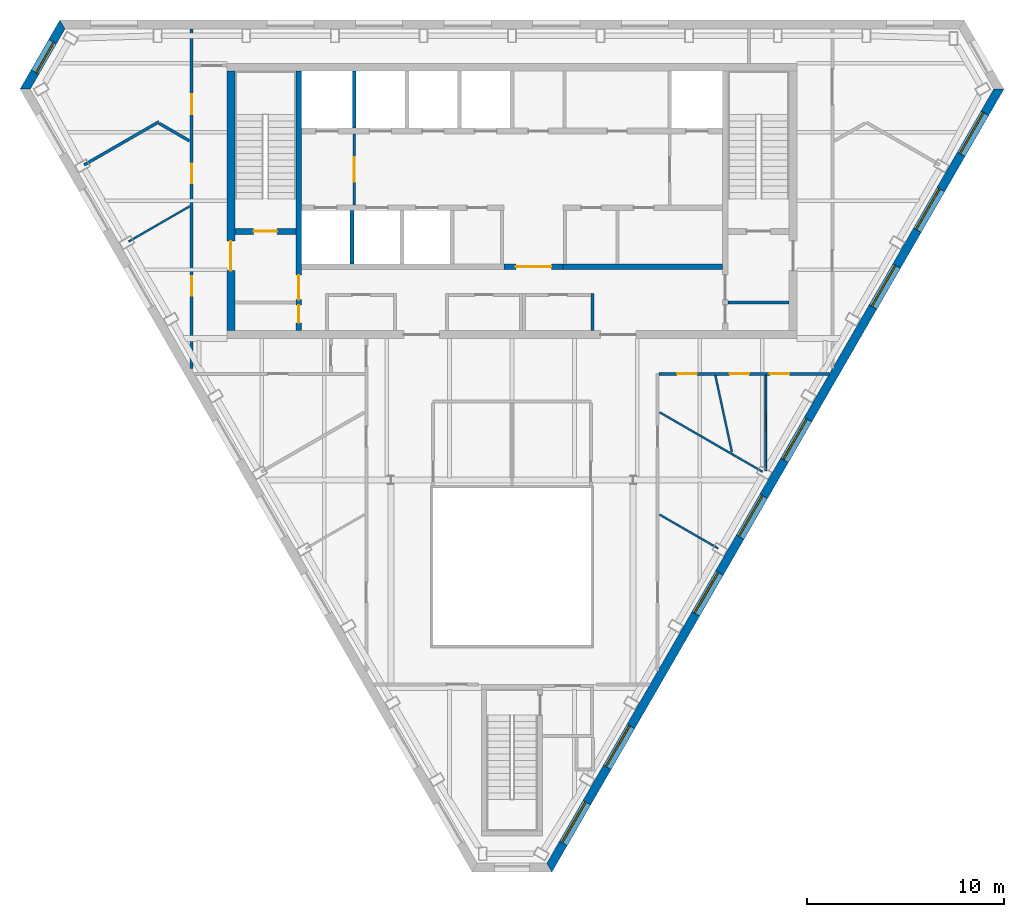
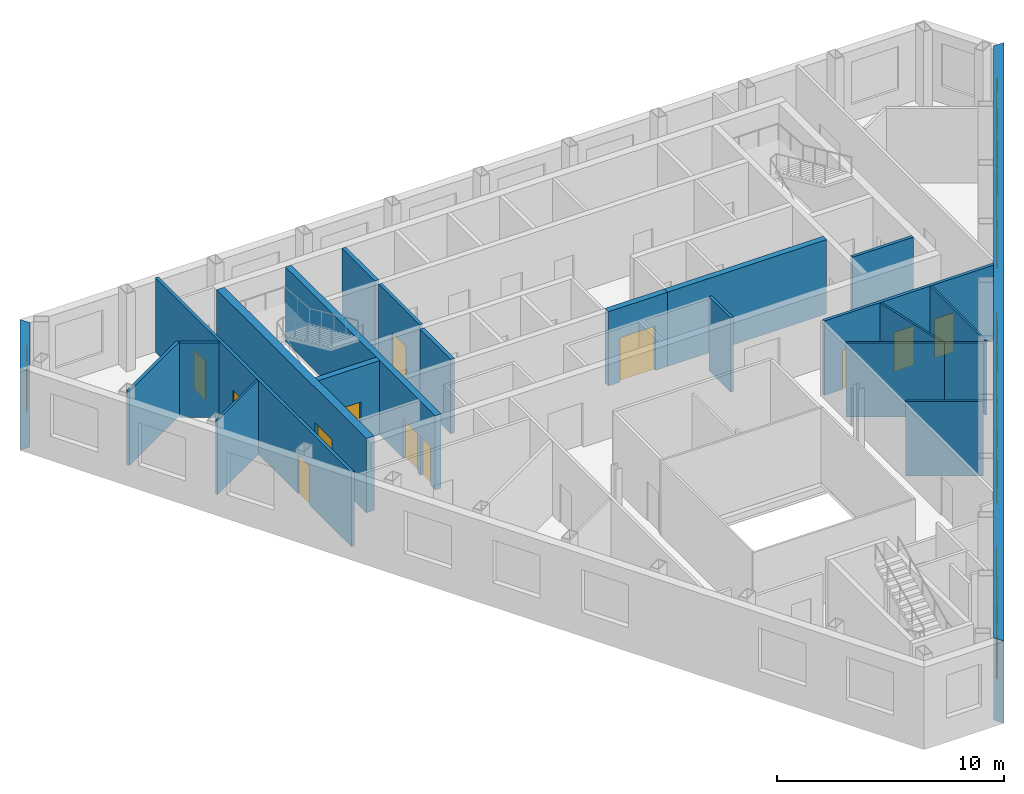
# One storey, part 5 of 10: 22 walls, 12 doors, 9 windows, 21 openings.
"""IFC4 building model written with IfcOpenShell, lengths in metres."""

from ifc_helpers import new_model, si_unit, direction, frame, frame_2d, origin, place, context, subcontext, project, spatial, polyline, rectangle, outline, extrude, material, layer, layer_set, type_object, element, fill, save


model = new_model("IFC4")

# Units and contexts
model_context = context("Model", 3, precision=1e-05, world=origin(), true_north=direction((0.0, 1.0)))
body_context = subcontext(model_context, "Body", "Model", "MODEL_VIEW")
ifc_project = project(units=[si_unit("LENGTHUNIT", "METRE"), si_unit("AREAUNIT", "SQUARE_METRE"), si_unit("VOLUMEUNIT", "CUBIC_METRE"), si_unit("PLANEANGLEUNIT", "RADIAN"), si_unit("MASSUNIT", "GRAM", prefix="KILO")], contexts=[model_context])

# Site, building, storey
site_placement = place(None, origin())
site = spatial("IfcSite", under=ifc_project, at=site_placement, CompositionType="ELEMENT")
building_placement = place(site_placement, origin())
building = spatial("IfcBuilding", under=site, at=building_placement, Name="Njiva Tower", CompositionType="ELEMENT")
storey_placement = place(building_placement, frame((0.0, 0.0, 333.6)))
storey = spatial("IfcBuildingStorey", under=building, at=storey_placement, Name="L76", CompositionType="ELEMENT", Elevation=333.6)

# Walls
ifc_material_1 = material(Name="Blockwork", Category="masonry")
ifc_layer_1 = layer(ifc_material_1, 0.15)
ifc_layer_set_1 = layer_set([ifc_layer_1], Name="Blockwork")
wall_type_1 = type_object("IfcWallType", Name="WT1 Compartment partition 150", PredefinedType="PARTITIONING", material=ifc_layer_set_1)
wall_1_placement = place(storey_placement, frame((11.0, 5.825, 0.0), z_axis=(0.0, 0.0, 1.0), x_axis=(1.0, 0.0, 0.0)))
element("IfcWall", 1, at=wall_1_placement, inside=storey, type_object=wall_type_1, Name="Room wall B", PredefinedType="PARTITIONING", context=body_context, shape_type="SweptSolid", body=[
    extrude(rectangle(XDim=3.1, YDim=0.15, at=frame_2d((1.55, 0.0))), origin(), (0.0, 0.0, 1.0), 4.0),
])
wall_2_placement = place(storey_placement, frame((4.1, 4.4, 0.0), z_axis=(0.0, 0.0, 1.0), x_axis=(0.0, 1.0, 0.0)))
element("IfcWall", 2, at=wall_2_placement, inside=storey, type_object=wall_type_1, Name="Information office wall east", PredefinedType="PARTITIONING", context=body_context, shape_type="SweptSolid", body=[
    extrude(rectangle(XDim=1.895, YDim=0.15, at=frame_2d((0.9475, 0.0))), origin(), (0.0, 0.0, 1.0), 4.0),
])

# Wall, openings, doors
ifc_material_2 = material(Name="Concrete C40/50", Category="concrete")
ifc_layer_2 = layer(ifc_material_2, 0.3)
ifc_layer_set_2 = layer_set([ifc_layer_2], Name="Concrete C40/50")
wall_type_2 = type_object("IfcWallType", Name="WT10 Stair enclosure wall 300", PredefinedType="SHEAR", material=ifc_layer_set_2)
wall_3_placement = place(storey_placement, frame((-10.85, 4.4, 0.0), z_axis=(0.0, 0.0, 1.0), x_axis=(0.0, 1.0, 0.0)))
wall_3 = element("IfcWall", 3, at=wall_3_placement, inside=storey, type_object=wall_type_2, Name="Stair wall west inner", PredefinedType="SHEAR", context=body_context, shape_type="SweptSolid", body=[
    extrude(rectangle(XDim=13.2, YDim=0.3, at=frame_2d((6.6, 0.0))), origin(), (0.0, 0.0, 1.0), 4.0),
])
opening_1_placement = place(wall_3_placement, frame((1.575, 0.0, 0.0)))
opening_1 = element("IfcOpeningElement", 4, at=opening_1_placement, cuts=wall_3, Name="Opening S26-D916", PredefinedType="OPENING", context=body_context, shape_type="SweptSolid", body=[
    extrude(rectangle(XDim=1.25, YDim=2.1, at=frame_2d((0.625, 1.05))), frame((0.0, 0.16, 0.0), z_axis=(0.0, -1.0, 0.0), x_axis=(1.0, 0.0, 0.0)), (0.0, 0.0, 1.0), 0.32),
])
opening_2_placement = place(wall_3_placement, frame((0.4, 0.0, 0.0)))
opening_2 = element("IfcOpeningElement", 5, at=opening_2_placement, cuts=wall_3, Name="Opening S26-D918", PredefinedType="OPENING", context=body_context, shape_type="SweptSolid", body=[
    extrude(rectangle(XDim=0.9, YDim=2.1, at=frame_2d((0.45, 1.05))), frame((0.0, 0.16, 0.0), z_axis=(0.0, -1.0, 0.0), x_axis=(1.0, 0.0, 0.0)), (0.0, 0.0, 1.0), 0.32),
])
ifc_material_3 = material(Name="Steel door, painted", Category="steel")
door_type_1 = type_object("IfcDoorType", Name="D13 Steel door 900x2100", OperationType="SINGLE_SWING_LEFT", PredefinedType="DOOR", material=ifc_material_3)
door_1_placement = place(opening_2_placement, origin())
door_1 = element("IfcDoor", 6, at=door_1_placement, inside=storey, type_object=door_type_1, Name="Reading room door", OperationType="SINGLE_SWING_RIGHT", OverallHeight=2.1, OverallWidth=0.9, PredefinedType="DOOR", context=body_context, shape_type="SweptSolid", body=[
    extrude(rectangle(XDim=0.9, YDim=2.1, at=frame_2d((0.45, 1.05))), frame((0.0, 0.025, 0.0), z_axis=(0.0, -1.0, 0.0), x_axis=(1.0, 0.0, 0.0)), (0.0, 0.0, 1.0), 0.05),
])
fill(opening_2, door_1)
ifc_material_4 = material(Name="Glazed steel fire door", Category="steel")
door_type_2 = type_object("IfcDoorType", Name="D8 Vestibule corridor door 1250x2100 glazed", OperationType="SINGLE_SWING_LEFT", PredefinedType="DOOR", material=ifc_material_4)
door_2_placement = place(opening_1_placement, origin())
door_2 = element("IfcDoor", 7, at=door_2_placement, inside=storey, type_object=door_type_2, Name="Stair vestibule corridor door", OperationType="SINGLE_SWING_LEFT", OverallHeight=2.1, OverallWidth=1.25, PredefinedType="DOOR", context=body_context, shape_type="SweptSolid", body=[
    extrude(rectangle(XDim=1.25, YDim=2.1, at=frame_2d((0.625, 1.05))), frame((0.0, 0.025, 0.0), z_axis=(0.0, -1.0, 0.0), x_axis=(1.0, 0.0, 0.0)), (0.0, 0.0, 1.0), 0.05),
])
fill(opening_1, door_2)

# Wall, opening, door
wall_4_placement = place(storey_placement, frame((-14.1, 9.45, 0.0), z_axis=(0.0, 0.0, 1.0), x_axis=(1.0, 0.0, 0.0)))
wall_4 = element("IfcWall", 8, at=wall_4_placement, inside=storey, type_object=wall_type_2, Name="Stair A south wall", PredefinedType="SHEAR", context=body_context, shape_type="SweptSolid", body=[
    extrude(rectangle(XDim=3.1, YDim=0.3, at=frame_2d((1.55, 0.0))), origin(), (0.0, 0.0, 1.0), 4.0),
])
opening_3_placement = place(wall_4_placement, frame((0.95, 0.0, 0.0)))
opening_3 = element("IfcOpeningElement", 9, at=opening_3_placement, cuts=wall_4, Name="Opening S26-D915", PredefinedType="OPENING", context=body_context, shape_type="SweptSolid", body=[
    extrude(rectangle(XDim=1.2, YDim=2.1, at=frame_2d((0.6, 1.05))), frame((0.0, 0.16, 0.0), z_axis=(0.0, -1.0, 0.0), x_axis=(1.0, 0.0, 0.0)), (0.0, 0.0, 1.0), 0.32),
])
door_type_3 = type_object("IfcDoorType", Name="D7 Stair vestibule door 1200x2100 glazed", OperationType="SINGLE_SWING_LEFT", PredefinedType="DOOR", material=ifc_material_4)
door_3_placement = place(opening_3_placement, origin())
door_3 = element("IfcDoor", 10, at=door_3_placement, inside=storey, type_object=door_type_3, Name="Stair A door", OperationType="SINGLE_SWING_LEFT", OverallHeight=2.1, OverallWidth=1.2, PredefinedType="DOOR", context=body_context, shape_type="SweptSolid", body=[
    extrude(rectangle(XDim=1.2, YDim=2.1, at=frame_2d((0.6, 1.05))), frame((0.0, 0.025, 0.0), z_axis=(0.0, -1.0, 0.0), x_axis=(1.0, 0.0, 0.0)), (0.0, 0.0, 1.0), 0.05),
])
fill(opening_3, door_3)

ifc_material_5 = material(Name="Concrete C60/75", Category="concrete")
ifc_layer_3 = layer(ifc_material_5, 0.4)
ifc_layer_set_3 = layer_set([ifc_layer_3], Name="Concrete C60/75")
wall_type_3 = type_object("IfcWallType", Name="WT11 Core wall 400", PredefinedType="SHEAR", material=ifc_layer_set_3)
wall_5_placement = place(storey_placement, frame((-14.3, 4.4, 0.0), z_axis=(0.0, 0.0, 1.0), x_axis=(0.0, 1.0, 0.0)))
wall_5 = element("IfcWall", 11, at=wall_5_placement, inside=storey, type_object=wall_type_3, Name="Core wall west", PredefinedType="SHEAR", context=body_context, shape_type="SweptSolid", body=[
    extrude(rectangle(XDim=13.2, YDim=0.4, at=frame_2d((6.6, 0.0))), origin(), (0.0, 0.0, 1.0), 4.0),
])
opening_4_placement = place(wall_5_placement, frame((3.05, 0.0, 0.0)))
opening_4 = element("IfcOpeningElement", 12, at=opening_4_placement, cuts=wall_5, Name="Opening S26-D917", PredefinedType="OPENING", context=body_context, shape_type="SweptSolid", body=[
    extrude(rectangle(XDim=1.5, YDim=2.1, at=frame_2d((0.75, 1.05))), frame((0.0, 0.21, 0.0), z_axis=(0.0, -1.0, 0.0), x_axis=(1.0, 0.0, 0.0)), (0.0, 0.0, 1.0), 0.42),
])
door_type_4 = type_object("IfcDoorType", Name="D10 Exit door double 1500x2100 glazed", OperationType="DOUBLE_DOOR_SINGLE_SWING", PredefinedType="DOOR", material=ifc_material_4)
door_4_placement = place(opening_4_placement, origin())
door_4 = element("IfcDoor", 13, at=door_4_placement, inside=storey, type_object=door_type_4, Name="Stair A corridor door", OperationType="DOUBLE_DOOR_SINGLE_SWING", OverallHeight=2.1, OverallWidth=1.5, PredefinedType="DOOR", context=body_context, shape_type="SweptSolid", body=[
    extrude(rectangle(XDim=1.5, YDim=2.1, at=frame_2d((0.75, 1.05))), frame((0.0, 0.025, 0.0), z_axis=(0.0, -1.0, 0.0), x_axis=(1.0, 0.0, 0.0)), (0.0, 0.0, 1.0), 0.05),
])
fill(opening_4, door_4)

ifc_layer_4 = layer(ifc_material_1, 0.15)
ifc_layer_set_4 = layer_set([ifc_layer_4], Name="Blockwork")
wall_type_4 = type_object("IfcWallType", Name="WT2 Lobby partition 150", PredefinedType="PARTITIONING", material=ifc_layer_set_4)
wall_6_placement = place(storey_placement, frame((-8.025, 10.8, 0.0), z_axis=(0.0, 0.0, 1.0), x_axis=(0.0, 1.0, 0.0)))
wall_6 = element("IfcWall", 14, at=wall_6_placement, inside=storey, type_object=wall_type_4, Name="Firefighting lobby wall A", PredefinedType="PARTITIONING", context=body_context, shape_type="SweptSolid", body=[
    extrude(rectangle(XDim=3.6, YDim=0.15, at=frame_2d((1.8, 0.0))), origin(), (0.0, 0.0, 1.0), 4.0),
])
opening_5_placement = place(wall_6_placement, frame((1.175, 0.0, 0.0)))
opening_5 = element("IfcOpeningElement", 15, at=opening_5_placement, cuts=wall_6, Name="Opening S26-D914", PredefinedType="OPENING", context=body_context, shape_type="SweptSolid", body=[
    extrude(rectangle(XDim=1.25, YDim=2.1, at=frame_2d((0.625, 1.05))), frame((0.0, 0.085, 0.0), z_axis=(0.0, -1.0, 0.0), x_axis=(1.0, 0.0, 0.0)), (0.0, 0.0, 1.0), 0.17),
])
door_5_placement = place(opening_5_placement, origin())
door_5 = element("IfcDoor", 16, at=door_5_placement, inside=storey, type_object=door_type_2, Name="Stair vestibule corridor door", OperationType="SINGLE_SWING_RIGHT", OverallHeight=2.1, OverallWidth=1.25, PredefinedType="DOOR", context=body_context, shape_type="SweptSolid", body=[
    extrude(rectangle(XDim=1.25, YDim=2.1, at=frame_2d((0.625, 1.05))), frame((0.0, 0.025, 0.0), z_axis=(0.0, -1.0, 0.0), x_axis=(1.0, 0.0, 0.0)), (0.0, 0.0, 1.0), 0.05),
])
fill(opening_5, door_5)

# Walls
ifc_material_6 = material(Name="Gypsum board on steel studs", Category="gypsum")
ifc_layer_5 = layer(ifc_material_6, 0.1)
ifc_layer_set_5 = layer_set([ifc_layer_5], Name="Gypsum board on steel studs")
wall_type_5 = type_object("IfcWallType", Name="WT20 Gypsum partition 100", PredefinedType="PARTITIONING", material=ifc_layer_set_5)
wall_7_placement = place(storey_placement, frame((-19.508, 8.928, 0.0), z_axis=(0.0, 0.0, 1.0), x_axis=(0.866074224396, 0.499915430684, 0.0)))
element("IfcWall", 17, at=wall_7_placement, inside=storey, type_object=wall_type_5, Name="Partition S26-P002", PredefinedType="PARTITIONING", context=body_context, shape_type="SweptSolid", body=[
    extrude(rectangle(XDim=3.5886, YDim=0.1, at=frame_2d((1.7943, 0.0))), origin(), (0.0, 0.0, 1.0), 4.0),
])
wall_8_placement = place(storey_placement, frame((7.51, -4.96, 0.0), z_axis=(0.0, 0.0, 1.0), x_axis=(0.866074466908, -0.499915010547, 0.0)))
element("IfcWall", 18, at=wall_8_placement, inside=storey, type_object=wall_type_5, Name="Partition S26-P019", PredefinedType="PARTITIONING", context=body_context, shape_type="SweptSolid", body=[
    extrude(rectangle(XDim=3.4466, YDim=0.1, at=frame_2d((1.7233, 0.0))), origin(), (0.0, 0.0, 1.0), 4.0),
])
wall_9_placement = place(storey_placement, frame((7.51, 0.245, 0.0), z_axis=(0.0, 0.0, 1.0), x_axis=(0.865900672614, -0.50021597852, 0.0)))
element("IfcWall", 19, at=wall_9_placement, inside=storey, type_object=wall_type_5, Name="Partition S26-P020", PredefinedType="PARTITIONING", context=body_context, shape_type="SweptSolid", body=[
    extrude(rectangle(XDim=4.3261, YDim=0.1, at=frame_2d((2.163, 0.0))), origin(), (0.0, 0.0, 1.0), 4.0),
])
wall_10_placement = place(storey_placement, frame((10.346, 2.114, 0.0), z_axis=(0.0, 0.0, 1.0), x_axis=(0.211378111895, -0.977404365558, 0.0)))
element("IfcWall", 20, at=wall_10_placement, inside=storey, type_object=wall_type_5, Name="Partition S26-P021", PredefinedType="PARTITIONING", context=body_context, shape_type="SweptSolid", body=[
    extrude(rectangle(XDim=3.9881, YDim=0.1, at=frame_2d((1.994, 0.0))), origin(), (0.0, 0.0, 1.0), 4.0),
])
wall_11_placement = place(storey_placement, frame((11.256, -1.919, 0.0), z_axis=(0.0, 0.0, 1.0), x_axis=(0.866523573279, -0.499136150717, 0.0)))
element("IfcWall", 21, at=wall_11_placement, inside=storey, type_object=wall_type_5, Name="Partition S26-P022", PredefinedType="PARTITIONING", context=body_context, shape_type="SweptSolid", body=[
    extrude(rectangle(XDim=1.723, YDim=0.1, at=frame_2d((0.8615, 0.0))), origin(), (0.0, 0.0, 1.0), 4.0),
])
wall_12_placement = place(storey_placement, frame((12.904, -2.73, 0.0), z_axis=(0.0, 0.0, 1.0), x_axis=(0.001853755826, 0.999998281793, 0.0)))
element("IfcWall", 22, at=wall_12_placement, inside=storey, type_object=wall_type_5, Name="Partition S26-P024", PredefinedType="PARTITIONING", context=body_context, shape_type="SweptSolid", body=[
    extrude(rectangle(XDim=4.855, YDim=0.1, at=frame_2d((2.4275, 0.0))), origin(), (0.0, 0.0, 1.0), 4.0),
])
ifc_layer_6 = layer(ifc_material_6, 0.15)
ifc_layer_set_6 = layer_set([ifc_layer_6], Name="Gypsum board on steel studs")
wall_type_6 = type_object("IfcWallType", Name="WT21 Compartment wall 150", PredefinedType="PARTITIONING", material=ifc_layer_set_6)
wall_13_placement = place(storey_placement, frame((-21.762, 12.832, 0.0), z_axis=(0.0, 0.0, 1.0), x_axis=(0.866272840059, 0.499571182691, 0.0)))
element("IfcWall", 23, at=wall_13_placement, inside=storey, type_object=wall_type_6, Name="Partition S26-P001", PredefinedType="PARTITIONING", context=body_context, shape_type="SweptSolid", body=[
    extrude(rectangle(XDim=4.3878, YDim=0.15, at=frame_2d((2.1939, 0.0))), origin(), (0.0, 0.0, 1.0), 4.0),
])
wall_14_placement = place(storey_placement, frame((-17.937, 14.936, 0.0), z_axis=(0.0, 0.0, 1.0), x_axis=(0.866138304741, -0.499804398801, 0.0)))
element("IfcWall", 24, at=wall_14_placement, inside=storey, type_object=wall_type_6, Name="Partition S26-P003", PredefinedType="PARTITIONING", context=body_context, shape_type="SweptSolid", body=[
    extrude(rectangle(XDim=1.7607, YDim=0.15, at=frame_2d((0.8804, 0.0))), origin(), (0.0, 0.0, 1.0), 4.0),
])

# Wall, openings, doors
wall_15_placement = place(storey_placement, frame((-16.3, 2.472, 0.0), z_axis=(0.0, 0.0, 1.0), x_axis=(0.0, 1.0, 0.0)))
wall_15 = element("IfcWall", 25, at=wall_15_placement, inside=storey, type_object=wall_type_6, Name="Partition S26-P004", PredefinedType="PARTITIONING", context=body_context, shape_type="SweptSolid", body=[
    extrude(rectangle(XDim=17.276, YDim=0.15, at=frame_2d((8.638, 0.0))), origin(), (0.0, 0.0, 1.0), 4.0),
])
opening_6_placement = place(wall_15_placement, frame((3.704, 0.0, 0.0)))
opening_6 = element("IfcOpeningElement", 26, at=opening_6_placement, cuts=wall_15, Name="Opening S26-D001", PredefinedType="OPENING", context=body_context, shape_type="SweptSolid", body=[
    extrude(rectangle(XDim=1.0, YDim=2.1, at=frame_2d((0.5, 1.05))), frame((0.0, 0.085, 0.0), z_axis=(0.0, -1.0, 0.0), x_axis=(1.0, 0.0, 0.0)), (0.0, 0.0, 1.0), 0.17),
])
opening_7_placement = place(wall_15_placement, frame((9.413, 0.0, 0.0)))
opening_7 = element("IfcOpeningElement", 27, at=opening_7_placement, cuts=wall_15, Name="Opening S26-D002", PredefinedType="OPENING", context=body_context, shape_type="SweptSolid", body=[
    extrude(rectangle(XDim=1.0, YDim=2.1, at=frame_2d((0.5, 1.05))), frame((0.0, 0.085, 0.0), z_axis=(0.0, -1.0, 0.0), x_axis=(1.0, 0.0, 0.0)), (0.0, 0.0, 1.0), 0.17),
])
opening_8_placement = place(wall_15_placement, frame((12.944, 0.0, 0.0)))
opening_8 = element("IfcOpeningElement", 28, at=opening_8_placement, cuts=wall_15, Name="Opening S26-D003", PredefinedType="OPENING", context=body_context, shape_type="SweptSolid", body=[
    extrude(rectangle(XDim=1.0, YDim=2.1, at=frame_2d((0.5, 1.05))), frame((0.0, 0.085, 0.0), z_axis=(0.0, -1.0, 0.0), x_axis=(1.0, 0.0, 0.0)), (0.0, 0.0, 1.0), 0.17),
])
ifc_material_7 = material(Name="Steel fire door set", Category="steel")
door_type_5 = type_object("IfcDoorType", Name="D37 Fire door 1000x2100", OperationType="SINGLE_SWING_LEFT", PredefinedType="DOOR", material=ifc_material_7)
door_6_placement = place(opening_6_placement, origin())
door_6 = element("IfcDoor", 29, at=door_6_placement, inside=storey, type_object=door_type_5, Name="Door S26-D001", OperationType="SINGLE_SWING_RIGHT", OverallHeight=2.1, OverallWidth=1.0, PredefinedType="DOOR", context=body_context, shape_type="SweptSolid", body=[
    extrude(rectangle(XDim=1.0, YDim=2.1, at=frame_2d((0.5, 1.05))), frame((0.0, 0.025, 0.0), z_axis=(0.0, -1.0, 0.0), x_axis=(1.0, 0.0, 0.0)), (0.0, 0.0, 1.0), 0.05),
])
fill(opening_6, door_6)
door_7_placement = place(opening_7_placement, origin())
door_7 = element("IfcDoor", 30, at=door_7_placement, inside=storey, type_object=door_type_5, Name="Door S26-D002", OperationType="SINGLE_SWING_LEFT", OverallHeight=2.1, OverallWidth=1.0, PredefinedType="DOOR", context=body_context, shape_type="SweptSolid", body=[
    extrude(rectangle(XDim=1.0, YDim=2.1, at=frame_2d((0.5, 1.05))), frame((0.0, 0.025, 0.0), z_axis=(0.0, -1.0, 0.0), x_axis=(1.0, 0.0, 0.0)), (0.0, 0.0, 1.0), 0.05),
])
fill(opening_7, door_7)
door_8_placement = place(opening_8_placement, origin())
door_8 = element("IfcDoor", 31, at=door_8_placement, inside=storey, type_object=door_type_5, Name="Door S26-D003", OperationType="SINGLE_SWING_LEFT", OverallHeight=2.1, OverallWidth=1.0, PredefinedType="DOOR", context=body_context, shape_type="SweptSolid", body=[
    extrude(rectangle(XDim=1.0, YDim=2.1, at=frame_2d((0.5, 1.05))), frame((0.0, 0.025, 0.0), z_axis=(0.0, -1.0, 0.0), x_axis=(1.0, 0.0, 0.0)), (0.0, 0.0, 1.0), 0.05),
])
fill(opening_8, door_8)

wall_16_placement = place(storey_placement, frame((7.485, 2.2, 0.0), z_axis=(0.0, 0.0, 1.0), x_axis=(1.0, 0.0, 0.0)))
wall_16 = element("IfcWall", 32, at=wall_16_placement, inside=storey, type_object=wall_type_6, Name="Partition S26-P018", PredefinedType="PARTITIONING", context=body_context, shape_type="SweptSolid", body=[
    extrude(rectangle(XDim=8.658, YDim=0.15, at=frame_2d((4.329, 0.0))), origin(), (0.0, 0.0, 1.0), 4.0),
])
opening_9_placement = place(wall_16_placement, frame((0.921, 0.0, 0.0)))
opening_9 = element("IfcOpeningElement", 33, at=opening_9_placement, cuts=wall_16, Name="Opening S26-D015", PredefinedType="OPENING", context=body_context, shape_type="SweptSolid", body=[
    extrude(rectangle(XDim=1.0, YDim=2.1, at=frame_2d((0.5, 1.05))), frame((0.0, 0.085, 0.0), z_axis=(0.0, -1.0, 0.0), x_axis=(1.0, 0.0, 0.0)), (0.0, 0.0, 1.0), 0.17),
])
opening_10_placement = place(wall_16_placement, frame((3.581, 0.0, 0.0)))
opening_10 = element("IfcOpeningElement", 34, at=opening_10_placement, cuts=wall_16, Name="Opening S26-D016", PredefinedType="OPENING", context=body_context, shape_type="SweptSolid", body=[
    extrude(rectangle(XDim=1.0, YDim=2.1, at=frame_2d((0.5, 1.05))), frame((0.0, 0.085, 0.0), z_axis=(0.0, -1.0, 0.0), x_axis=(1.0, 0.0, 0.0)), (0.0, 0.0, 1.0), 0.17),
])
opening_11_placement = place(wall_16_placement, frame((5.628, 0.0, 0.0)))
opening_11 = element("IfcOpeningElement", 35, at=opening_11_placement, cuts=wall_16, Name="Opening S26-D017", PredefinedType="OPENING", context=body_context, shape_type="SweptSolid", body=[
    extrude(rectangle(XDim=1.0, YDim=2.1, at=frame_2d((0.5, 1.05))), frame((0.0, 0.085, 0.0), z_axis=(0.0, -1.0, 0.0), x_axis=(1.0, 0.0, 0.0)), (0.0, 0.0, 1.0), 0.17),
])
door_9_placement = place(opening_9_placement, origin())
door_9 = element("IfcDoor", 36, at=door_9_placement, inside=storey, type_object=door_type_5, Name="Door S26-D015", OperationType="SINGLE_SWING_LEFT", OverallHeight=2.1, OverallWidth=1.0, PredefinedType="DOOR", context=body_context, shape_type="SweptSolid", body=[
    extrude(rectangle(XDim=1.0, YDim=2.1, at=frame_2d((0.5, 1.05))), frame((0.0, 0.025, 0.0), z_axis=(0.0, -1.0, 0.0), x_axis=(1.0, 0.0, 0.0)), (0.0, 0.0, 1.0), 0.05),
])
fill(opening_9, door_9)
door_10_placement = place(opening_10_placement, origin())
door_10 = element("IfcDoor", 37, at=door_10_placement, inside=storey, type_object=door_type_5, Name="Door S26-D016", OperationType="SINGLE_SWING_LEFT", OverallHeight=2.1, OverallWidth=1.0, PredefinedType="DOOR", context=body_context, shape_type="SweptSolid", body=[
    extrude(rectangle(XDim=1.0, YDim=2.1, at=frame_2d((0.5, 1.05))), frame((0.0, 0.025, 0.0), z_axis=(0.0, -1.0, 0.0), x_axis=(1.0, 0.0, 0.0)), (0.0, 0.0, 1.0), 0.05),
])
fill(opening_10, door_10)
door_11_placement = place(opening_11_placement, origin())
door_11 = element("IfcDoor", 38, at=door_11_placement, inside=storey, type_object=door_type_5, Name="Door S26-D017", OperationType="SINGLE_SWING_RIGHT", OverallHeight=2.1, OverallWidth=1.0, PredefinedType="DOOR", context=body_context, shape_type="SweptSolid", body=[
    extrude(rectangle(XDim=1.0, YDim=2.1, at=frame_2d((0.5, 1.05))), frame((0.0, 0.025, 0.0), z_axis=(0.0, -1.0, 0.0), x_axis=(1.0, 0.0, 0.0)), (0.0, 0.0, 1.0), 0.05),
])
fill(opening_11, door_11)

# Wall, opening, door
ifc_layer_7 = layer(ifc_material_1, 0.3)
ifc_layer_set_7 = layer_set([ifc_layer_7], Name="Blockwork")
wall_type_7 = type_object("IfcWallType", Name="WT5 Lobby partition 300", PredefinedType="PARTITIONING", material=ifc_layer_set_7)
wall_17_placement = place(storey_placement, frame((-0.4, 7.65, 0.0), z_axis=(0.0, 0.0, 1.0), x_axis=(1.0, 0.0, 0.0)))
wall_17 = element("IfcWall", 39, at=wall_17_placement, inside=storey, type_object=wall_type_7, Name="Lift lobby screen wall", PredefinedType="PARTITIONING", context=body_context, shape_type="SweptSolid", body=[
    extrude(rectangle(XDim=3.0, YDim=0.3, at=frame_2d((1.5, 0.0))), origin(), (0.0, 0.0, 1.0), 4.0),
])
opening_12_placement = place(wall_17_placement, frame((0.6, 0.0, 0.0)))
opening_12 = element("IfcOpeningElement", 40, at=opening_12_placement, cuts=wall_17, Name="Opening S26-D927", PredefinedType="OPENING", context=body_context, shape_type="SweptSolid", body=[
    extrude(rectangle(XDim=1.8, YDim=2.4, at=frame_2d((0.9, 1.2))), frame((0.0, 0.16, 0.0), z_axis=(0.0, -1.0, 0.0), x_axis=(1.0, 0.0, 0.0)), (0.0, 0.0, 1.0), 0.32),
])
ifc_material_8 = material(Name="Steel and glass door", Category="steel")
door_type_6 = type_object("IfcDoorType", Name="D3 Core entrance door 1800x2400", OperationType="DOUBLE_DOOR_SINGLE_SWING", PredefinedType="DOOR", material=ifc_material_8)
door_12_placement = place(opening_12_placement, origin())
door_12 = element("IfcDoor", 41, at=door_12_placement, inside=storey, type_object=door_type_6, Name="Core entrance door", OperationType="DOUBLE_DOOR_SINGLE_SWING", OverallHeight=2.4, OverallWidth=1.8, PredefinedType="DOOR", context=body_context, shape_type="SweptSolid", body=[
    extrude(rectangle(XDim=1.8, YDim=2.4, at=frame_2d((0.9, 1.2))), frame((0.0, 0.025, 0.0), z_axis=(0.0, -1.0, 0.0), x_axis=(1.0, 0.0, 0.0)), (0.0, 0.0, 1.0), 0.05),
])
fill(opening_12, door_12)

# Walls
ifc_layer_8 = layer(ifc_material_2, 0.2)
ifc_layer_set_8 = layer_set([ifc_layer_8], Name="Concrete C40/50")
wall_type_8 = type_object("IfcWallType", Name="WT6 Lift shaft wall 200", PredefinedType="SHEAR", material=ifc_layer_set_8)
wall_18_placement = place(storey_placement, frame((-8.025, 14.7, 0.0), z_axis=(0.0, 0.0, 1.0), x_axis=(0.0, 1.0, 0.0)))
element("IfcWall", 42, at=wall_18_placement, inside=storey, type_object=wall_type_8, Name="Shaft wall CN1", PredefinedType="SHEAR", context=body_context, shape_type="SweptSolid", body=[
    extrude(rectangle(XDim=2.9, YDim=0.2, at=frame_2d((1.45, 0.0))), origin(), (0.0, 0.0, 1.0), 4.0),
])
wall_19_placement = place(storey_placement, frame((-8.15, 7.8, 0.0), z_axis=(0.0, 0.0, 1.0), x_axis=(0.0, 1.0, 0.0)))
element("IfcWall", 43, at=wall_19_placement, inside=storey, type_object=wall_type_8, Name="Shaft wall CS1", PredefinedType="SHEAR", context=body_context, shape_type="SweptSolid", body=[
    extrude(rectangle(XDim=2.7, YDim=0.2, at=frame_2d((1.35, 0.0))), origin(), (0.0, 0.0, 1.0), 4.0),
])
ifc_layer_9 = layer(ifc_material_2, 0.3)
ifc_layer_set_9 = layer_set([ifc_layer_9], Name="Concrete C40/50")
wall_type_9 = type_object("IfcWallType", Name="WT7 Lift shaft wall 300", PredefinedType="SHEAR", material=ifc_layer_set_9)
wall_20_placement = place(storey_placement, frame((2.6, 7.65, 0.0), z_axis=(0.0, 0.0, 1.0), x_axis=(1.0, 0.0, 0.0)))
element("IfcWall", 44, at=wall_20_placement, inside=storey, type_object=wall_type_9, Name="Shaft wall south row back E", PredefinedType="SHEAR", context=body_context, shape_type="SweptSolid", body=[
    extrude(rectangle(XDim=8.1, YDim=0.3, at=frame_2d((4.05, 0.0))), origin(), (0.0, 0.0, 1.0), 4.0),
])

# Wall, openings, windows
ifc_material_9 = material(Name="Brick masonry", Category="masonry")
ifc_layer_10 = layer(ifc_material_9, 0.45)
ifc_layer_set_10 = layer_set([ifc_layer_10], Name="Brick masonry")
wall_type_10 = type_object("IfcWallType", Name="WT90 Brick pier and spandrel wall 450", PredefinedType="SOLIDWALL", material=ifc_layer_set_10)
wall_21_placement = place(storey_placement, frame((1.9001, -22.9196, -0.4), z_axis=(0.0, 0.0, 1.0), x_axis=(0.500000141277, 0.866025322218, 0.0)))
wall_21 = element("IfcWall", 45, at=wall_21_placement, inside=storey, type_object=wall_type_10, Name="Facade wall SE", PredefinedType="SOLIDWALL", context=body_context, shape_type="SweptSolid", body=[
    extrude(outline(polyline([(-0.1299, -0.225), (45.8601, -0.225), (45.6003, 0.225), (0.1299, 0.225), (-0.1299, -0.225)])), origin(), (0.0, 0.0, 1.0), 4.42),
])
opening_13_placement = place(wall_21_placement, frame((1.4237, 0.0, 1.3)))
opening_13 = element("IfcOpeningElement", 46, at=opening_13_placement, cuts=wall_21, Name="Opening S26-W18", PredefinedType="OPENING", context=body_context, shape_type="SweptSolid", body=[
    extrude(rectangle(XDim=2.4, YDim=2.3, at=frame_2d((1.2, 1.15))), frame((0.0, 0.235, 0.0), z_axis=(0.0, -1.0, 0.0), x_axis=(1.0, 0.0, 0.0)), (0.0, 0.0, 1.0), 0.47),
])
opening_14_placement = place(wall_21_placement, frame((5.8919, 0.0, 1.3)))
opening_14 = element("IfcOpeningElement", 47, at=opening_14_placement, cuts=wall_21, Name="Opening S26-W19", PredefinedType="OPENING", context=body_context, shape_type="SweptSolid", body=[
    extrude(rectangle(XDim=2.4, YDim=2.3, at=frame_2d((1.2, 1.15))), frame((0.0, 0.235, 0.0), z_axis=(0.0, -1.0, 0.0), x_axis=(1.0, 0.0, 0.0)), (0.0, 0.0, 1.0), 0.47),
])
opening_15_placement = place(wall_21_placement, frame((14.9052, 0.0, 1.3)))
opening_15 = element("IfcOpeningElement", 48, at=opening_15_placement, cuts=wall_21, Name="Opening S26-W20", PredefinedType="OPENING", context=body_context, shape_type="SweptSolid", body=[
    extrude(rectangle(XDim=2.4, YDim=2.3, at=frame_2d((1.2, 1.15))), frame((0.0, 0.235, 0.0), z_axis=(0.0, -1.0, 0.0), x_axis=(1.0, 0.0, 0.0)), (0.0, 0.0, 1.0), 0.47),
])
opening_16_placement = place(wall_21_placement, frame((19.4118, 0.0, 1.3)))
opening_16 = element("IfcOpeningElement", 49, at=opening_16_placement, cuts=wall_21, Name="Opening S26-W21", PredefinedType="OPENING", context=body_context, shape_type="SweptSolid", body=[
    extrude(rectangle(XDim=2.4, YDim=2.3, at=frame_2d((1.2, 1.15))), frame((0.0, 0.235, 0.0), z_axis=(0.0, -1.0, 0.0), x_axis=(1.0, 0.0, 0.0)), (0.0, 0.0, 1.0), 0.47),
])
opening_17_placement = place(wall_21_placement, frame((23.9184, 0.0, 1.3)))
opening_17 = element("IfcOpeningElement", 50, at=opening_17_placement, cuts=wall_21, Name="Opening S26-W22", PredefinedType="OPENING", context=body_context, shape_type="SweptSolid", body=[
    extrude(rectangle(XDim=2.4, YDim=2.3, at=frame_2d((1.2, 1.15))), frame((0.0, 0.235, 0.0), z_axis=(0.0, -1.0, 0.0), x_axis=(1.0, 0.0, 0.0)), (0.0, 0.0, 1.0), 0.47),
])
opening_18_placement = place(wall_21_placement, frame((32.9316, 0.0, 1.3)))
opening_18 = element("IfcOpeningElement", 51, at=opening_18_placement, cuts=wall_21, Name="Opening S26-W23", PredefinedType="OPENING", context=body_context, shape_type="SweptSolid", body=[
    extrude(rectangle(XDim=2.4, YDim=2.3, at=frame_2d((1.2, 1.15))), frame((0.0, 0.235, 0.0), z_axis=(0.0, -1.0, 0.0), x_axis=(1.0, 0.0, 0.0)), (0.0, 0.0, 1.0), 0.47),
])
opening_19_placement = place(wall_21_placement, frame((37.4383, 0.0, 1.3)))
opening_19 = element("IfcOpeningElement", 52, at=opening_19_placement, cuts=wall_21, Name="Opening S26-W24", PredefinedType="OPENING", context=body_context, shape_type="SweptSolid", body=[
    extrude(rectangle(XDim=2.4, YDim=2.3, at=frame_2d((1.2, 1.15))), frame((0.0, 0.235, 0.0), z_axis=(0.0, -1.0, 0.0), x_axis=(1.0, 0.0, 0.0)), (0.0, 0.0, 1.0), 0.47),
])
opening_20_placement = place(wall_21_placement, frame((41.9065, 0.0, 1.3)))
opening_20 = element("IfcOpeningElement", 53, at=opening_20_placement, cuts=wall_21, Name="Opening S26-W25", PredefinedType="OPENING", context=body_context, shape_type="SweptSolid", body=[
    extrude(rectangle(XDim=2.4, YDim=2.3, at=frame_2d((1.2, 1.15))), frame((0.0, 0.235, 0.0), z_axis=(0.0, -1.0, 0.0), x_axis=(1.0, 0.0, 0.0)), (0.0, 0.0, 1.0), 0.47),
])
ifc_material_10 = material(Name="Clear glazing in aluminium frame", Category="aluminium")
window_type_1 = type_object("IfcWindowType", Name="W91 Deep-set window 2400x2300", PartitioningType="SINGLE_PANEL", PredefinedType="WINDOW", material=ifc_material_10)
window_1_placement = place(opening_13_placement, origin())
window_1 = element("IfcWindow", 54, at=window_1_placement, inside=storey, type_object=window_type_1, Name="Window", OverallHeight=2.3, OverallWidth=2.4, PartitioningType="SINGLE_PANEL", PredefinedType="WINDOW", context=body_context, shape_type="SweptSolid", body=[
    extrude(rectangle(XDim=2.4, YDim=2.3, at=frame_2d((1.2, 1.15))), frame((0.0, 0.105, 0.0), z_axis=(0.0, -1.0, 0.0), x_axis=(1.0, 0.0, 0.0)), (0.0, 0.0, 1.0), 0.06),
])
fill(opening_13, window_1)
window_2_placement = place(opening_14_placement, origin())
window_2 = element("IfcWindow", 55, at=window_2_placement, inside=storey, type_object=window_type_1, Name="Window", OverallHeight=2.3, OverallWidth=2.4, PartitioningType="SINGLE_PANEL", PredefinedType="WINDOW", context=body_context, shape_type="SweptSolid", body=[
    extrude(rectangle(XDim=2.4, YDim=2.3, at=frame_2d((1.2, 1.15))), frame((0.0, 0.105, 0.0), z_axis=(0.0, -1.0, 0.0), x_axis=(1.0, 0.0, 0.0)), (0.0, 0.0, 1.0), 0.06),
])
fill(opening_14, window_2)
window_3_placement = place(opening_15_placement, origin())
window_3 = element("IfcWindow", 56, at=window_3_placement, inside=storey, type_object=window_type_1, Name="Window", OverallHeight=2.3, OverallWidth=2.4, PartitioningType="SINGLE_PANEL", PredefinedType="WINDOW", context=body_context, shape_type="SweptSolid", body=[
    extrude(rectangle(XDim=2.4, YDim=2.3, at=frame_2d((1.2, 1.15))), frame((0.0, 0.105, 0.0), z_axis=(0.0, -1.0, 0.0), x_axis=(1.0, 0.0, 0.0)), (0.0, 0.0, 1.0), 0.06),
])
fill(opening_15, window_3)
window_4_placement = place(opening_16_placement, origin())
window_4 = element("IfcWindow", 57, at=window_4_placement, inside=storey, type_object=window_type_1, Name="Window", OverallHeight=2.3, OverallWidth=2.4, PartitioningType="SINGLE_PANEL", PredefinedType="WINDOW", context=body_context, shape_type="SweptSolid", body=[
    extrude(rectangle(XDim=2.4, YDim=2.3, at=frame_2d((1.2, 1.15))), frame((0.0, 0.105, 0.0), z_axis=(0.0, -1.0, 0.0), x_axis=(1.0, 0.0, 0.0)), (0.0, 0.0, 1.0), 0.06),
])
fill(opening_16, window_4)
window_5_placement = place(opening_17_placement, origin())
window_5 = element("IfcWindow", 58, at=window_5_placement, inside=storey, type_object=window_type_1, Name="Window", OverallHeight=2.3, OverallWidth=2.4, PartitioningType="SINGLE_PANEL", PredefinedType="WINDOW", context=body_context, shape_type="SweptSolid", body=[
    extrude(rectangle(XDim=2.4, YDim=2.3, at=frame_2d((1.2, 1.15))), frame((0.0, 0.105, 0.0), z_axis=(0.0, -1.0, 0.0), x_axis=(1.0, 0.0, 0.0)), (0.0, 0.0, 1.0), 0.06),
])
fill(opening_17, window_5)
window_6_placement = place(opening_18_placement, origin())
window_6 = element("IfcWindow", 59, at=window_6_placement, inside=storey, type_object=window_type_1, Name="Window", OverallHeight=2.3, OverallWidth=2.4, PartitioningType="SINGLE_PANEL", PredefinedType="WINDOW", context=body_context, shape_type="SweptSolid", body=[
    extrude(rectangle(XDim=2.4, YDim=2.3, at=frame_2d((1.2, 1.15))), frame((0.0, 0.105, 0.0), z_axis=(0.0, -1.0, 0.0), x_axis=(1.0, 0.0, 0.0)), (0.0, 0.0, 1.0), 0.06),
])
fill(opening_18, window_6)
window_7_placement = place(opening_19_placement, origin())
window_7 = element("IfcWindow", 60, at=window_7_placement, inside=storey, type_object=window_type_1, Name="Window", OverallHeight=2.3, OverallWidth=2.4, PartitioningType="SINGLE_PANEL", PredefinedType="WINDOW", context=body_context, shape_type="SweptSolid", body=[
    extrude(rectangle(XDim=2.4, YDim=2.3, at=frame_2d((1.2, 1.15))), frame((0.0, 0.105, 0.0), z_axis=(0.0, -1.0, 0.0), x_axis=(1.0, 0.0, 0.0)), (0.0, 0.0, 1.0), 0.06),
])
fill(opening_19, window_7)
window_8_placement = place(opening_20_placement, origin())
window_8 = element("IfcWindow", 61, at=window_8_placement, inside=storey, type_object=window_type_1, Name="Window", OverallHeight=2.3, OverallWidth=2.4, PartitioningType="SINGLE_PANEL", PredefinedType="WINDOW", context=body_context, shape_type="SweptSolid", body=[
    extrude(rectangle(XDim=2.4, YDim=2.3, at=frame_2d((1.2, 1.15))), frame((0.0, 0.105, 0.0), z_axis=(0.0, -1.0, 0.0), x_axis=(1.0, 0.0, 0.0)), (0.0, 0.0, 1.0), 0.06),
])
fill(opening_20, window_8)

# Wall, opening, window
ifc_material_11 = material(Name="Brick masonry, buff", Category="masonry")
ifc_layer_11 = layer(ifc_material_11, 0.45)
ifc_layer_set_11 = layer_set([ifc_layer_11], Name="Brick masonry, buff")
wall_type_11 = type_object("IfcWallType", Name="WT94 Brick pier and spandrel wall 450, buff", PredefinedType="SOLIDWALL", material=ifc_layer_set_11)
wall_22_placement = place(storey_placement, frame((-22.8688, 19.9772, -0.4), z_axis=(0.0, 0.0, 1.0), x_axis=(-0.499996551991, -0.866027394484, 0.0)))
wall_22 = element("IfcWall", 62, at=wall_22_placement, inside=storey, type_object=wall_type_11, Name="Facade wall NW", PredefinedType="SOLIDWALL", context=body_context, shape_type="SweptSolid", body=[
    extrude(outline(polyline([(-0.1299, -0.225), (3.9301, -0.225), (3.6703, 0.225), (0.1299, 0.225), (-0.1299, -0.225)])), origin(), (0.0, 0.0, 1.0), 4.2),
])
opening_21_placement = place(wall_22_placement, frame((1.0001, 0.0, 1.3)))
opening_21 = element("IfcOpeningElement", 63, at=opening_21_placement, cuts=wall_22, Name="Opening S26-W08", PredefinedType="OPENING", context=body_context, shape_type="SweptSolid", body=[
    extrude(rectangle(XDim=1.8, YDim=2.3, at=frame_2d((0.9, 1.15))), frame((0.0, 0.235, 0.0), z_axis=(0.0, -1.0, 0.0), x_axis=(1.0, 0.0, 0.0)), (0.0, 0.0, 1.0), 0.47),
])
window_type_2 = type_object("IfcWindowType", Name="W95 Deep-set window 1800x2300", PartitioningType="SINGLE_PANEL", PredefinedType="WINDOW", material=ifc_material_10)
window_9_placement = place(opening_21_placement, origin())
window_9 = element("IfcWindow", 64, at=window_9_placement, inside=storey, type_object=window_type_2, Name="Window", OverallHeight=2.3, OverallWidth=1.8, PartitioningType="SINGLE_PANEL", PredefinedType="WINDOW", context=body_context, shape_type="SweptSolid", body=[
    extrude(rectangle(XDim=1.8, YDim=2.3, at=frame_2d((0.9, 1.15))), frame((0.0, 0.105, 0.0), z_axis=(0.0, -1.0, 0.0), x_axis=(1.0, 0.0, 0.0)), (0.0, 0.0, 1.0), 0.06),
])
fill(opening_21, window_9)

save(model, "model.ifc")
